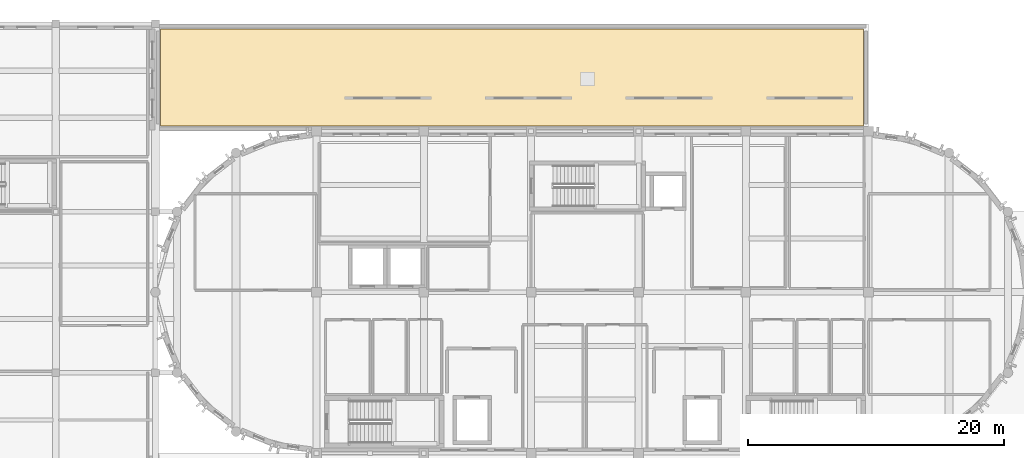
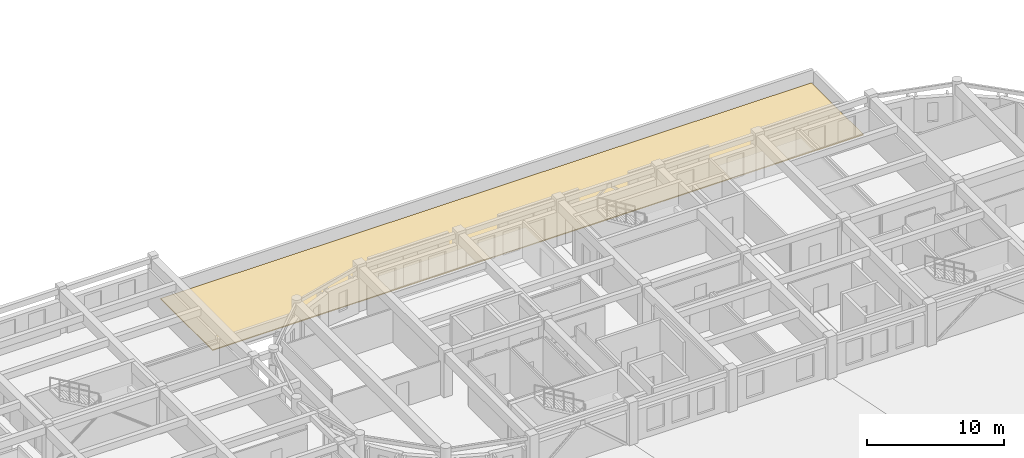
# One storey, part 44 of 46: 1 covering.
"""IFC4 building model written with IfcOpenShell, lengths in metres."""

from ifc_helpers import new_model, si_unit, direction, frame, origin, place, context, subcontext, project, spatial, polyline, outline, extrude, material, layer, layer_set, type_object, element, save


model = new_model("IFC4")

# Units and contexts
model_context = context("Model", 3, precision=1e-05, world=origin(), true_north=direction((0.0, 1.0)))
body_context = subcontext(model_context, "Body", "Model", "MODEL_VIEW")
ifc_project = project(units=[si_unit("LENGTHUNIT", "METRE"), si_unit("AREAUNIT", "SQUARE_METRE"), si_unit("VOLUMEUNIT", "CUBIC_METRE"), si_unit("PLANEANGLEUNIT", "RADIAN"), si_unit("MASSUNIT", "GRAM", prefix="KILO")], contexts=[model_context])

# Site, building, storey
site_placement = place(None, origin())
site = spatial("IfcSite", under=ifc_project, at=site_placement, CompositionType="ELEMENT")
building_placement = place(site_placement, origin())
building = spatial("IfcBuilding", under=site, at=building_placement, Name="Tarnavel Promenade Courthouse", CompositionType="ELEMENT")
storey_placement = place(building_placement, frame((0.0, 0.0, 14.39990234375)))
storey = spatial("IfcBuildingStorey", under=building, at=storey_placement, Name="L04", CompositionType="ELEMENT", Elevation=14.39990234375)

# Covering
ifc_material = material(Name="Standing-Seam Patinated Copper Snow-Retaining Roofing")
ifc_layer = layer(ifc_material, 0.0849609375)
ifc_layer_set = layer_set([ifc_layer], Name="Standing-Seam Patinated Copper Snow-Retaining Roofing")
covering_type = type_object("IfcCoveringType", Name="Standing-Seam Patinated Copper Snow-Retaining Roofing COV-RF-COPPER-85 (85 mm)", PredefinedType="ROOFING", material=ifc_layer_set)
covering_placement = place(storey_placement, frame((0.0, 0.0, 0.235107421875)))
element("IfcCovering", 1, at=covering_placement, inside=storey, type_object=covering_type, Name="L04 Standing-Seam Copper Roof Build-Up 04", PredefinedType="ROOFING", context=body_context, shape_type="SweptSolid", body=[
    extrude(outline(polyline([(46.60009765625, 104.800048828125), (101.60009765625, 104.800048828125), (101.60009765625, 112.39990234375), (46.60009765625, 112.39990234375), (46.60009765625, 104.800048828125)])), origin(), (0.0, 0.0, 1.0), 0.0849609375),
])

save(model, "model.ifc")
